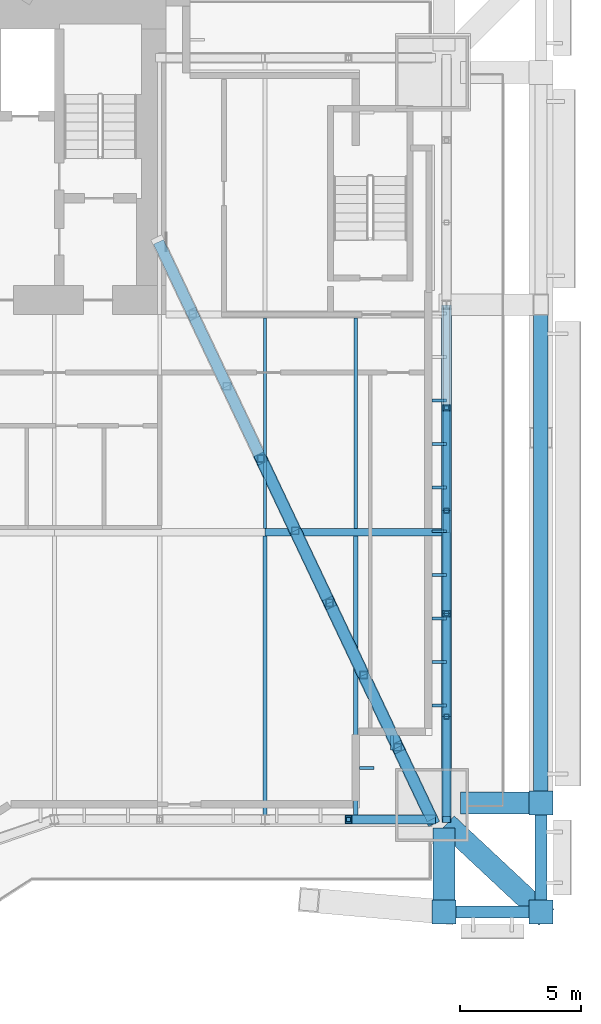
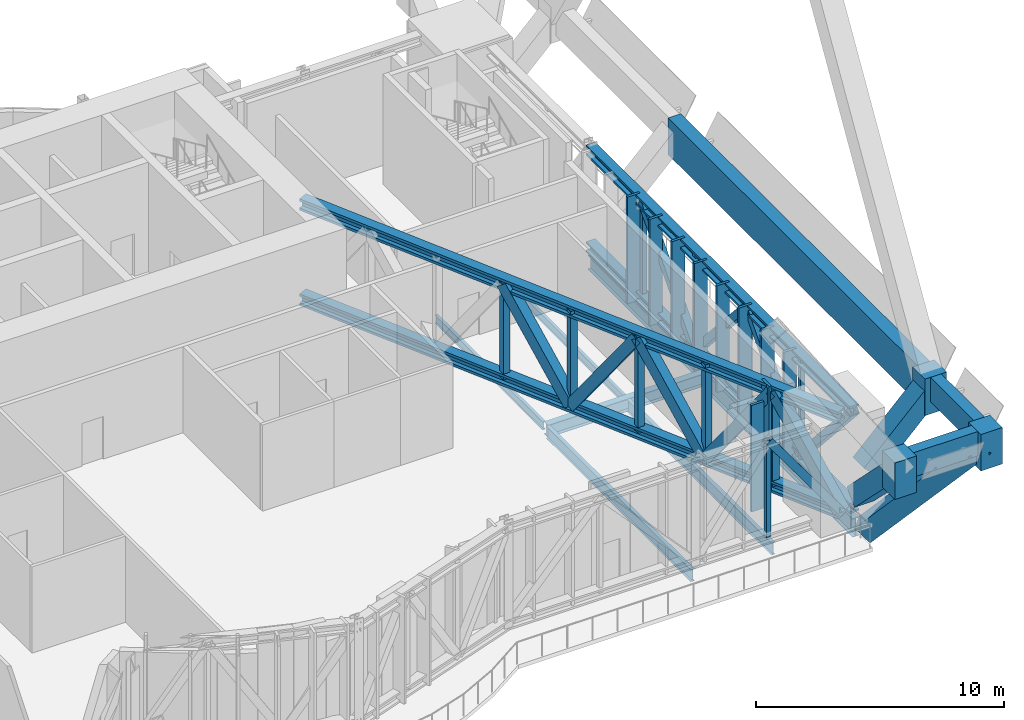
# One storey, part 15 of 32: 40 members, 10 beams, 1 element without a shape of its own.
"""IFC4 building model written with IfcOpenShell, lengths in metres."""

from ifc_helpers import new_model, si_unit, direction, frame, origin, origin_2d, place, context, subcontext, project, spatial, rectangle, hollow_rectangle, i_section, extrude, material, material_profile, profile_set, type_object, element, aggregate, save


model = new_model("IFC4")

# Units and contexts
model_context = context("Model", 3, precision=1e-05, world=origin(), true_north=direction((0.0, 1.0)))
body_context = subcontext(model_context, "Body", "Model", "MODEL_VIEW")
ifc_project = project(units=[si_unit("LENGTHUNIT", "METRE"), si_unit("AREAUNIT", "SQUARE_METRE"), si_unit("VOLUMEUNIT", "CUBIC_METRE"), si_unit("PLANEANGLEUNIT", "RADIAN"), si_unit("MASSUNIT", "GRAM", prefix="KILO")], contexts=[model_context])

# Site, building, storey
site_placement = place(None, origin())
site = spatial("IfcSite", under=ifc_project, at=site_placement, CompositionType="ELEMENT")
building_placement = place(site_placement, origin())
building = spatial("IfcBuilding", under=site, at=building_placement, Name="Bicima Exchange Tower", CompositionType="ELEMENT")
storey_placement = place(building_placement, frame((0.0, 0.0, 135.0)))
storey = spatial("IfcBuildingStorey", under=building, at=storey_placement, Name="L29", CompositionType="ELEMENT", Elevation=135.0)

# Curtain wall, members
ifc_material_1 = material(Name="Anodised bronze aluminium", Category="aluminium")
curtain_wall_type = type_object("IfcCurtainWallType", Name="Band blade screen", PredefinedType="NOTDEFINED", material=ifc_material_1)
curtain_wall_placement = place(storey_placement, origin())
curtain_wall = element("IfcCurtainWall", 1, at=curtain_wall_placement, inside=storey, type_object=curtain_wall_type, Name="Band blade screen L29", PredefinedType="NOTDEFINED")
ifc_material_profile_1 = material_profile(ifc_material_1, rectangle(XDim=0.60009765625, YDim=0.1201171875, at=origin_2d()))
ifc_profile_set_1 = profile_set([ifc_material_profile_1], Name="Anodised bronze aluminium")
member_type_1 = type_object("IfcMemberType", Name="Band blade fin 600 x 120", PredefinedType="USERDEFINED", material=ifc_profile_set_1)
member_1_placement = place(storey_placement, frame((33.300048828125, -29.156005859375, 0.0), z_axis=(0.0, 0.0, 1.0), x_axis=(-1.0, 0.0, 0.0)))
member_1 = element("IfcMember", 2, at=member_1_placement, type_object=member_type_1, Name="Band blade fin 1", ObjectType="FIN", PredefinedType="USERDEFINED", context=body_context, shape_type="SweptSolid", body=[
    extrude(rectangle(XDim=0.60009765625, YDim=0.1201171875, at=origin_2d()), origin(), (0.0, 0.0, 1.0), 5.25),
])
member_2_placement = place(storey_placement, frame((33.300048828125, -27.356201171875, 0.0), z_axis=(0.0, 0.0, 1.0), x_axis=(-1.0, 0.0, 0.0)))
member_2 = element("IfcMember", 3, at=member_2_placement, type_object=member_type_1, Name="Band blade fin 2", ObjectType="FIN", PredefinedType="USERDEFINED", context=body_context, shape_type="SweptSolid", body=[
    extrude(rectangle(XDim=0.60009765625, YDim=0.1201171875, at=origin_2d()), origin(), (0.0, 0.0, 1.0), 5.25),
])
member_3_placement = place(storey_placement, frame((33.300048828125, -25.55615234375, 0.0), z_axis=(0.0, 0.0, 1.0), x_axis=(-1.0, 0.0, 0.0)))
member_3 = element("IfcMember", 4, at=member_3_placement, type_object=member_type_1, Name="Band blade fin 3", ObjectType="FIN", PredefinedType="USERDEFINED", context=body_context, shape_type="SweptSolid", body=[
    extrude(rectangle(XDim=0.60009765625, YDim=0.1201171875, at=origin_2d()), origin(), (0.0, 0.0, 1.0), 5.25),
])
member_4_placement = place(storey_placement, frame((33.300048828125, -23.756103515625, 0.0), z_axis=(0.0, 0.0, 1.0), x_axis=(-1.0, 0.0, 0.0)))
member_4 = element("IfcMember", 5, at=member_4_placement, type_object=member_type_1, Name="Band blade fin 4", ObjectType="FIN", PredefinedType="USERDEFINED", context=body_context, shape_type="SweptSolid", body=[
    extrude(rectangle(XDim=0.60009765625, YDim=0.1201171875, at=origin_2d()), origin(), (0.0, 0.0, 1.0), 5.25),
])
member_5_placement = place(storey_placement, frame((33.300048828125, -21.9560546875, 0.0), z_axis=(0.0, 0.0, 1.0), x_axis=(-1.0, 0.0, 0.0)))
member_5 = element("IfcMember", 6, at=member_5_placement, type_object=member_type_1, Name="Band blade fin 5", ObjectType="FIN", PredefinedType="USERDEFINED", context=body_context, shape_type="SweptSolid", body=[
    extrude(rectangle(XDim=0.60009765625, YDim=0.1201171875, at=origin_2d()), origin(), (0.0, 0.0, 1.0), 5.25),
])
member_6_placement = place(storey_placement, frame((33.300048828125, -20.156005859375, 0.0), z_axis=(0.0, 0.0, 1.0), x_axis=(-1.0, 0.0, 0.0)))
member_6 = element("IfcMember", 7, at=member_6_placement, type_object=member_type_1, Name="Band blade fin 6", ObjectType="FIN", PredefinedType="USERDEFINED", context=body_context, shape_type="SweptSolid", body=[
    extrude(rectangle(XDim=0.60009765625, YDim=0.1201171875, at=origin_2d()), origin(), (0.0, 0.0, 1.0), 5.25),
])
member_7_placement = place(storey_placement, frame((33.300048828125, -18.356201171875, 0.0), z_axis=(0.0, 0.0, 1.0), x_axis=(-1.0, 0.0, 0.0)))
member_7 = element("IfcMember", 8, at=member_7_placement, type_object=member_type_1, Name="Band blade fin 7", ObjectType="FIN", PredefinedType="USERDEFINED", context=body_context, shape_type="SweptSolid", body=[
    extrude(rectangle(XDim=0.60009765625, YDim=0.1201171875, at=origin_2d()), origin(), (0.0, 0.0, 1.0), 5.25),
])
member_8_placement = place(storey_placement, frame((33.300048828125, -16.55615234375, 0.0), z_axis=(0.0, 0.0, 1.0), x_axis=(-1.0, 0.0, 0.0)))
member_8 = element("IfcMember", 9, at=member_8_placement, type_object=member_type_1, Name="Band blade fin 8", ObjectType="FIN", PredefinedType="USERDEFINED", context=body_context, shape_type="SweptSolid", body=[
    extrude(rectangle(XDim=0.60009765625, YDim=0.1201171875, at=origin_2d()), origin(), (0.0, 0.0, 1.0), 5.25),
])
member_9_placement = place(storey_placement, frame((30.300048828125, -31.738037109375, 0.0), z_axis=(0.0, 0.0, 1.0), x_axis=(-1.0, 0.0, 0.0)))
member_9 = element("IfcMember", 10, at=member_9_placement, type_object=member_type_1, Name="Band blade fin 59", ObjectType="FIN", PredefinedType="USERDEFINED", context=body_context, shape_type="SweptSolid", body=[
    extrude(rectangle(XDim=0.60009765625, YDim=0.1201171875, at=origin_2d()), origin(), (0.0, 0.0, 1.0), 5.25),
])
member_10_placement = place(storey_placement, frame((31.35009765625, -30.68798828125, 0.0), z_axis=(0.0, 0.0, 1.0), x_axis=(0.0, 1.0, 0.0)))
member_10 = element("IfcMember", 11, at=member_10_placement, type_object=member_type_1, Name="Band blade fin 60", ObjectType="FIN", PredefinedType="USERDEFINED", context=body_context, shape_type="SweptSolid", body=[
    extrude(rectangle(XDim=0.60009765625, YDim=0.1201171875, at=origin_2d()), origin(), (0.0, 0.0, 1.0), 5.25),
])
aggregate(curtain_wall, [member_1, member_2, member_3, member_4, member_5, member_6, member_7, member_8, member_9, member_10])

# Beams
ifc_material_2 = material(Name="Steel ASTM A572 Gr 50", Category="steel")
ifc_material_profile_2 = material_profile(ifc_material_2, hollow_rectangle(XDim=0.5, YDim=1.199951171875, WallThickness=0.0400390625, at=origin_2d()))
ifc_profile_set_2 = profile_set([ifc_material_profile_2], Name="Steel ASTM A572 Gr 50")
beam_type_1 = type_object("IfcBeamType", Name="Belt girder BOX 500x1200x40", PredefinedType="BEAM", material=ifc_profile_set_2)
beam_1_placement = place(storey_placement, frame((33.5, -37.684814453125, 4.64990234375), z_axis=(1.0, 0.0, 0.0), x_axis=(0.0, 1.0, 0.0)))
element("IfcBeam", 12, at=beam_1_placement, inside=storey, type_object=beam_type_1, Name="Belt girder", PredefinedType="BEAM", context=body_context, shape_type="SweptSolid", body=[
    extrude(hollow_rectangle(XDim=0.5, YDim=1.199951171875, WallThickness=0.0400390625, at=origin_2d()), origin(), (0.0, 0.0, 1.0), 4.0),
])
beam_2_placement = place(storey_placement, frame((37.5, -37.684814453125, 4.64990234375), z_axis=(0.0, 1.0, 0.0), x_axis=(-1.0, 0.0, 0.0)))
element("IfcBeam", 13, at=beam_2_placement, inside=storey, type_object=beam_type_1, Name="Belt girder", PredefinedType="BEAM", context=body_context, shape_type="SweptSolid", body=[
    extrude(hollow_rectangle(XDim=0.5, YDim=1.199951171875, WallThickness=0.0400390625, at=origin_2d()), origin(), (0.0, 0.0, 1.0), 4.5),
])
ifc_material_profile_3 = material_profile(ifc_material_2, hollow_rectangle(XDim=0.60009765625, YDim=1.800048828125, WallThickness=0.06005859375, at=origin_2d()))
ifc_profile_set_3 = profile_set([ifc_material_profile_3], Name="Steel ASTM A572 Gr 50")
beam_type_2 = type_object("IfcBeamType", Name="Belt girder BOX 600x1800x60", PredefinedType="BEAM", material=ifc_profile_set_3)
beam_3_placement = place(storey_placement, frame((37.5, -33.184814453125, 4.35009765625), z_axis=(0.0, 1.0, 0.0), x_axis=(-1.0, 0.0, 0.0)))
element("IfcBeam", 14, at=beam_3_placement, inside=storey, type_object=beam_type_2, Name="Belt girder", PredefinedType="BEAM", context=body_context, shape_type="SweptSolid", body=[
    extrude(hollow_rectangle(XDim=0.60009765625, YDim=1.800048828125, WallThickness=0.06005859375, at=origin_2d()), origin(), (0.0, 0.0, 1.0), 20.584716796875),
])

# Members
ifc_material_3 = material(Name="Steel ASTM A992 Gr 50", Category="steel")
ifc_material_profile_4 = material_profile(ifc_material_3, i_section(OverallWidth=0.431884765625, OverallDepth=0.497802734375, WebThickness=0.0556640625, FlangeThickness=0.0888671875, at=origin_2d()))
ifc_profile_set_4 = profile_set([ifc_material_profile_4], Name="Steel ASTM A992 Gr 50")
member_type_2 = type_object("IfcMemberType", Name="Belt truss chord W14x500", PredefinedType="CHORD", material=ifc_profile_set_4)
for number, where, z_axis, x_axis, name in (
    (15, (33.60009765625, -12.60009765625, 5.001220703125), (0.0, -1.0, 0.0), (1.0, 0.0, 0.0), "Top chord"),
    (16, (33.60009765625, -12.60009765625, 0.248779296875), (0.0, -1.0, 0.0), (1.0, 0.0, 0.0), "Bottom chord"),
):
    element("IfcMember", number, at=place(storey_placement, frame(where, z_axis=z_axis, x_axis=x_axis)), inside=storey, type_object=member_type_2, Name=name, PredefinedType="CHORD", context=body_context, shape_type="SweptSolid", body=[
        extrude(i_section(OverallWidth=0.431884765625, OverallDepth=0.497802734375, WebThickness=0.0556640625, FlangeThickness=0.0888671875, at=origin_2d()), origin(), (0.0, 0.0, 1.0), 21.265869140625),
    ])
ifc_material_profile_5 = material_profile(ifc_material_2, hollow_rectangle(XDim=0.355712890625, YDim=0.355712890625, WallThickness=0.0146484375, at=origin_2d()))
ifc_profile_set_5 = profile_set([ifc_material_profile_5], Name="Steel ASTM A572 Gr 50")
member_type_3 = type_object("IfcMemberType", Name="Belt truss diagonal HSS14x14x5/8", PredefinedType="STRUT", material=ifc_profile_set_5)
member_11_placement = place(storey_placement, frame((29.550048828125, -33.865966796875, 5.001220703125), z_axis=(0.587462041023, 0.0, -0.809251722493), x_axis=(0.0, 1.0, 0.0)))
element("IfcMember", 17, at=member_11_placement, inside=storey, type_object=member_type_3, Name="Truss diagonal", PredefinedType="STRUT", context=body_context, shape_type="SweptSolid", body=[
    extrude(hollow_rectangle(XDim=0.355712890625, YDim=0.355712890625, WallThickness=0.0146484375, at=origin_2d()), origin(), (0.0, 0.0, 1.0), 5.87255859375),
])
for number, where, z_axis, x_axis, name in (
    (18, (33.60009765625, -16.853271484375, 5.001220703125), (0.0, -0.666881015123, -0.74516421792), (1.0, 0.0, 0.0), "Truss diagonal"),
    (19, (33.60009765625, -21.1064453125, 0.248779296875), (0.0, -0.666881015123, 0.74516421792), (1.0, 0.0, 0.0), "Truss diagonal"),
    (20, (33.60009765625, -25.359619140625, 5.001220703125), (0.0, -0.666881015123, -0.74516421792), (1.0, 0.0, 0.0), "Truss diagonal"),
    (21, (33.60009765625, -29.61279296875, 0.248779296875), (0.0, -0.666881015123, 0.74516421792), (1.0, 0.0, 0.0), "Truss diagonal"),
):
    element("IfcMember", number, at=place(storey_placement, frame(where, z_axis=z_axis, x_axis=x_axis)), inside=storey, type_object=member_type_3, Name=name, PredefinedType="STRUT", context=body_context, shape_type="SweptSolid", body=[
        extrude(hollow_rectangle(XDim=0.355712890625, YDim=0.355712890625, WallThickness=0.0146484375, at=origin_2d()), origin(), (0.0, 0.0, 1.0), 6.377685546875),
    ])
ifc_material_profile_6 = material_profile(ifc_material_2, hollow_rectangle(XDim=0.203125, YDim=0.203125, WallThickness=0.01171875, at=origin_2d()))
ifc_profile_set_6 = profile_set([ifc_material_profile_6], Name="Steel ASTM A572 Gr 50")
member_type_4 = type_object("IfcMemberType", Name="Belt truss post HSS8x8x1/2", PredefinedType="POST", material=ifc_profile_set_6)
for number, where, z_axis, x_axis, name in (
    (22, (29.550048828125, -33.865966796875, 0.248779296875), (0.0, 0.0, 1.0), (1.0, 0.0, 0.0), "Truss post"),
    (23, (33.60009765625, -16.853271484375, 0.248779296875), (0.0, 0.0, 1.0), (1.0, 0.0, 0.0), "Truss post"),
    (24, (33.60009765625, -21.1064453125, 0.248779296875), (0.0, 0.0, 1.0), (1.0, 0.0, 0.0), "Truss post"),
    (25, (33.60009765625, -25.359619140625, 0.248779296875), (0.0, 0.0, 1.0), (1.0, 0.0, 0.0), "Truss post"),
    (26, (33.60009765625, -29.61279296875, 0.248779296875), (0.0, 0.0, 1.0), (1.0, 0.0, 0.0), "Truss post"),
):
    element("IfcMember", number, at=place(storey_placement, frame(where, z_axis=z_axis, x_axis=x_axis)), inside=storey, type_object=member_type_4, Name=name, PredefinedType="POST", context=body_context, shape_type="SweptSolid", body=[
        extrude(hollow_rectangle(XDim=0.203125, YDim=0.203125, WallThickness=0.01171875, at=origin_2d()), origin(), (0.0, 0.0, 1.0), 4.75244140625),
    ])

# Beams
ifc_material_profile_7 = material_profile(ifc_material_3, i_section(OverallWidth=0.256591796875, OverallDepth=0.693359375, WebThickness=0.014404296875, FlangeThickness=0.023681640625, at=origin_2d()))
ifc_profile_set_7 = profile_set([ifc_material_profile_7], Name="Steel ASTM A992 Gr 50")
beam_type_3 = type_object("IfcBeamType", Name="End girder W27x114", PredefinedType="BEAM", material=ifc_profile_set_7)
beam_4_placement = place(storey_placement, frame((33.60009765625, -12.60009765625, -0.546630859375), z_axis=(0.0, -1.0, 0.0), x_axis=(1.0, 0.0, 0.0)))
element("IfcBeam", 27, at=beam_4_placement, inside=storey, type_object=beam_type_3, Name="End girder", PredefinedType="BEAM", context=body_context, shape_type="SweptSolid", body=[
    extrude(i_section(OverallWidth=0.256591796875, OverallDepth=0.693359375, WebThickness=0.014404296875, FlangeThickness=0.023681640625, at=origin_2d()), origin(), (0.0, 0.0, 1.0), 9.39990234375),
])
ifc_material_profile_8 = material_profile(ifc_material_3, i_section(OverallWidth=0.3046875, OverallDepth=0.911865234375, WebThickness=0.015869140625, FlangeThickness=0.02392578125, at=origin_2d()))
ifc_profile_set_8 = profile_set([ifc_material_profile_8], Name="Steel ASTM A992 Gr 50")
beam_type_4 = type_object("IfcBeamType", Name="End girder W36x150", PredefinedType="BEAM", material=ifc_profile_set_8)
beam_5_placement = place(storey_placement, frame((33.60009765625, -22.0, -0.656005859375), z_axis=(0.0, -1.0, 0.0), x_axis=(1.0, 0.0, 0.0)))
element("IfcBeam", 28, at=beam_5_placement, inside=storey, type_object=beam_type_4, Name="End girder", PredefinedType="BEAM", context=body_context, shape_type="SweptSolid", body=[
    extrude(i_section(OverallWidth=0.3046875, OverallDepth=0.911865234375, WebThickness=0.015869140625, FlangeThickness=0.02392578125, at=origin_2d()), origin(), (0.0, 0.0, 1.0), 11.988037109375),
])

# Members
ifc_material_4 = material(Name="Cast steel ASTM A216 Gr WCB", Category="steel")
ifc_material_profile_9 = material_profile(ifc_material_4, rectangle(XDim=1.0, YDim=1.0, at=origin_2d()))
ifc_profile_set_9 = profile_set([ifc_material_profile_9], Name="Cast steel ASTM A216 Gr WCB")
member_type_5 = type_object("IfcMemberType", Name="Exo node block", PredefinedType="POST", material=ifc_profile_set_9)
for number, where, z_axis, x_axis, name in (
    (29, (33.5, -37.684814453125, 3.449951171875), (0.0, 0.0, 1.0), (1.0, 0.0, 0.0), "Exo node block"),
    (30, (37.5, -37.684814453125, 3.449951171875), (0.0, 0.0, 1.0), (1.0, 0.0, 0.0), "Exo node block"),
    (31, (37.5, -33.184814453125, 3.449951171875), (0.0, 0.0, 1.0), (1.0, 0.0, 0.0), "Exo node block"),
):
    element("IfcMember", number, at=place(storey_placement, frame(where, z_axis=z_axis, x_axis=x_axis)), inside=storey, type_object=member_type_5, Name=name, PredefinedType="POST", context=body_context, shape_type="SweptSolid", body=[
        extrude(rectangle(XDim=1.0, YDim=1.0, at=origin_2d()), origin(), (0.0, 0.0, 1.0), 1.800048828125),
    ])
ifc_material_profile_10 = material_profile(ifc_material_2, hollow_rectangle(XDim=0.89990234375, YDim=0.89990234375, WallThickness=0.050048828125, at=origin_2d()))
ifc_profile_set_10 = profile_set([ifc_material_profile_10], Name="Steel ASTM A572 Gr 50")
member_type_6 = type_object("IfcMemberType", Name="Exo outrigger stub BOX 900x900x50", PredefinedType="STRUT", material=ifc_profile_set_10)
member_12_placement = place(storey_placement, frame((33.5, -34.52734375, 1.3427734375), z_axis=(0.0, -0.707134119022, 0.707079442294), x_axis=(1.0, 0.0, 0.0)))
element("IfcMember", 32, at=member_12_placement, inside=storey, type_object=member_type_6, Name="Exo outrigger stub", PredefinedType="STRUT", context=body_context, shape_type="SweptSolid", body=[
    extrude(hollow_rectangle(XDim=0.89990234375, YDim=0.89990234375, WallThickness=0.050048828125, at=origin_2d()), origin(), (0.0, 0.0, 1.0), 4.465087890625),
])
member_13_placement = place(storey_placement, frame((33.848388671875, -34.268310546875, -0.70068359375), z_axis=(0.506125264948, -0.473538607854, 0.720831743927), x_axis=(0.683208359889, 0.730223484269, 0.0)))
element("IfcMember", 33, at=member_13_placement, inside=storey, type_object=member_type_6, Name="Exo outrigger stub", PredefinedType="STRUT", context=body_context, shape_type="SweptSolid", body=[
    extrude(hollow_rectangle(XDim=0.89990234375, YDim=0.89990234375, WallThickness=0.050048828125, at=origin_2d()), origin(), (0.0, 0.0, 1.0), 7.21484375),
])
member_14_placement = place(storey_placement, frame((34.5, -33.184814453125, 1.5), z_axis=(0.707106781187, 0.0, 0.707106781187), x_axis=(0.0, 1.0, 0.0)))
element("IfcMember", 34, at=member_14_placement, inside=storey, type_object=member_type_6, Name="Exo outrigger stub", PredefinedType="STRUT", context=body_context, shape_type="SweptSolid", body=[
    extrude(hollow_rectangle(XDim=0.89990234375, YDim=0.89990234375, WallThickness=0.050048828125, at=origin_2d()), origin(), (0.0, 0.0, 1.0), 4.24267578125),
])

# Beams
ifc_material_profile_11 = material_profile(ifc_material_3, i_section(OverallWidth=0.140380859375, OverallDepth=0.40380859375, WebThickness=0.007080078125, FlangeThickness=0.01123046875, at=origin_2d()))
ifc_profile_set_11 = profile_set([ifc_material_profile_11], Name="Steel ASTM A992 Gr 50")
beam_type_5 = type_object("IfcBeamType", Name="Floor beam W16x31", PredefinedType="JOIST", material=ifc_profile_set_11)
for number, where, z_axis, x_axis, name in (
    (35, (26.10009765625, -13.15234375, -0.40185546875), (0.0, -1.0, 0.0), (1.0, 0.0, 0.0), "Floor beam"),
    (36, (29.85009765625, -13.15234375, -0.40185546875), (0.0, -1.0, 0.0), (1.0, 0.0, 0.0), "Floor beam"),
):
    element("IfcBeam", number, at=place(storey_placement, frame(where, z_axis=z_axis, x_axis=x_axis)), inside=storey, type_object=beam_type_5, Name=name, PredefinedType="JOIST", context=body_context, shape_type="SweptSolid", body=[
        extrude(i_section(OverallWidth=0.140380859375, OverallDepth=0.40380859375, WebThickness=0.007080078125, FlangeThickness=0.01123046875, at=origin_2d()), origin(), (0.0, 0.0, 1.0), 8.68505859375),
    ])
ifc_material_profile_12 = material_profile(ifc_material_3, i_section(OverallWidth=0.177978515625, OverallDepth=0.599365234375, WebThickness=0.010009765625, FlangeThickness=0.012939453125, at=origin_2d()))
ifc_profile_set_12 = profile_set([ifc_material_profile_12], Name="Steel ASTM A992 Gr 50")
beam_type_6 = type_object("IfcBeamType", Name="Floor beam W24x55", PredefinedType="JOIST", material=ifc_profile_set_12)
for number, where, z_axis, x_axis, name in (
    (37, (26.10009765625, -22.16259765625, -0.499755859375), (0.0, -1.0, 0.0), (1.0, 0.0, 0.0), "Floor beam"),
    (38, (29.85009765625, -22.16259765625, -0.499755859375), (0.0, -1.0, 0.0), (1.0, 0.0, 0.0), "Floor beam"),
):
    element("IfcBeam", number, at=place(storey_placement, frame(where, z_axis=z_axis, x_axis=x_axis)), inside=storey, type_object=beam_type_6, Name=name, PredefinedType="JOIST", context=body_context, shape_type="SweptSolid", body=[
        extrude(i_section(OverallWidth=0.177978515625, OverallDepth=0.599365234375, WebThickness=0.010009765625, FlangeThickness=0.012939453125, at=origin_2d()), origin(), (0.0, 0.0, 1.0), 11.662841796875),
    ])

# Members
ifc_material_profile_13 = material_profile(ifc_material_3, i_section(OverallWidth=0.45458984375, OverallDepth=0.56884765625, WebThickness=0.077880859375, FlangeThickness=0.124755859375, at=origin_2d()))
ifc_profile_set_13 = profile_set([ifc_material_profile_13], Name="Steel ASTM A992 Gr 50")
member_type_7 = type_object("IfcMemberType", Name="Outrigger truss chord W14x730", PredefinedType="CHORD", material=ifc_profile_set_13)
for number, where, z_axis, x_axis, name in (
    (39, (21.699951171875, -10.0, 4.965576171875), (0.427935312391, -0.903809365081, 0.0), (0.903809365081, 0.427935312391, 0.0), "Top chord"),
    (40, (21.699951171875, -10.0, 0.284423828125), (0.427935312391, -0.903809365081, 0.0), (0.903809365081, 0.427935312391, 0.0), "Bottom chord"),
):
    element("IfcMember", number, at=place(storey_placement, frame(where, z_axis=z_axis, x_axis=x_axis)), inside=storey, type_object=member_type_7, Name=name, PredefinedType="CHORD", context=body_context, shape_type="SweptSolid", body=[
        extrude(i_section(OverallWidth=0.45458984375, OverallDepth=0.56884765625, WebThickness=0.077880859375, FlangeThickness=0.124755859375, at=origin_2d()), origin(), (0.0, 0.0, 1.0), 26.406005859375),
    ])
ifc_material_profile_14 = material_profile(ifc_material_2, hollow_rectangle(XDim=0.508056640625, YDim=0.508056640625, WallThickness=0.017822265625, at=origin_2d()))
ifc_profile_set_14 = profile_set([ifc_material_profile_14], Name="Steel ASTM A572 Gr 50")
member_type_8 = type_object("IfcMemberType", Name="Outrigger truss diagonal HSS20x20x3/4", PredefinedType="STRUT", material=ifc_profile_set_14)
member_15_placement = place(storey_placement, frame((25.9375, -18.94970703125, 4.965576171875), z_axis=(0.246615343931, -0.520850242453, -0.817248981079), x_axis=(0.90380710303, 0.427940089864, 0.0)))
element("IfcMember", 41, at=member_15_placement, inside=storey, type_object=member_type_8, Name="Truss diagonal", PredefinedType="STRUT", context=body_context, shape_type="SweptSolid", body=[
    extrude(hollow_rectangle(XDim=0.508056640625, YDim=0.508056640625, WallThickness=0.017822265625, at=origin_2d()), origin(), (0.0, 0.0, 1.0), 5.72802734375),
])
for number, where, z_axis, x_axis, name in (
    (42, (27.35009765625, -21.93310546875, 0.284423828125), (0.246580786875, -0.520824655976, 0.817275714353), (0.903822165624, 0.427908276302, 0.0), "Truss diagonal"),
    (43, (28.762451171875, -24.916259765625, 4.965576171875), (0.246620818769, -0.520819181566, -0.817267123934), (0.903793556937, 0.427968697965, 0.0), "Truss diagonal"),
    (44, (30.175048828125, -27.8994140625, 0.284423828125), (0.24657531281, -0.520855716946, 0.817257570927), (0.90383570832, 0.427879670428, 0.0), "Truss diagonal"),
    (45, (31.58740234375, -30.8828125, 4.965576171875), (0.246620818769, -0.520819181566, -0.817267123934), (0.903793556937, 0.427968697965, 0.0), "Truss diagonal"),
):
    element("IfcMember", number, at=place(storey_placement, frame(where, z_axis=z_axis, x_axis=x_axis)), inside=storey, type_object=member_type_8, Name=name, PredefinedType="STRUT", context=body_context, shape_type="SweptSolid", body=[
        extrude(hollow_rectangle(XDim=0.508056640625, YDim=0.508056640625, WallThickness=0.017822265625, at=origin_2d()), origin(), (0.0, 0.0, 1.0), 5.727783203125),
    ])
ifc_material_profile_15 = material_profile(ifc_material_2, hollow_rectangle(XDim=0.3046875, YDim=0.3046875, WallThickness=0.01171875, at=origin_2d()))
ifc_profile_set_15 = profile_set([ifc_material_profile_15], Name="Steel ASTM A572 Gr 50")
member_type_9 = type_object("IfcMemberType", Name="Outrigger truss post HSS12x12x1/2", PredefinedType="POST", material=ifc_profile_set_15)
for number, where, z_axis, x_axis, name in (
    (46, (25.9375, -18.94970703125, 0.284423828125), (0.0, 0.0, 1.0), (1.0, 0.0, 0.0), "Truss post"),
    (47, (27.35009765625, -21.93310546875, 0.284423828125), (0.0, 0.0, 1.0), (1.0, 0.0, 0.0), "Truss post"),
    (48, (28.762451171875, -24.916259765625, 0.284423828125), (0.0, 0.0, 1.0), (1.0, 0.0, 0.0), "Truss post"),
    (49, (30.175048828125, -27.8994140625, 0.284423828125), (0.0, 0.0, 1.0), (1.0, 0.0, 0.0), "Truss post"),
    (50, (31.58740234375, -30.8828125, 0.284423828125), (0.0, 0.0, 1.0), (1.0, 0.0, 0.0), "Truss post"),
):
    element("IfcMember", number, at=place(storey_placement, frame(where, z_axis=z_axis, x_axis=x_axis)), inside=storey, type_object=member_type_9, Name=name, PredefinedType="POST", context=body_context, shape_type="SweptSolid", body=[
        extrude(hollow_rectangle(XDim=0.3046875, YDim=0.3046875, WallThickness=0.01171875, at=origin_2d()), origin(), (0.0, 0.0, 1.0), 4.68115234375),
    ])

# Beam
ifc_material_profile_16 = material_profile(ifc_material_3, i_section(OverallWidth=0.3251953125, OverallDepth=0.612060546875, WebThickness=0.0126953125, FlangeThickness=0.01904296875, at=origin_2d()))
ifc_profile_set_16 = profile_set([ifc_material_profile_16], Name="Steel ASTM A992 Gr 50")
beam_type_7 = type_object("IfcBeamType", Name="Row girder W24x104", PredefinedType="BEAM", material=ifc_profile_set_16)
beam_6_placement = place(storey_placement, frame((26.10009765625, -22.0, -0.506103515625), z_axis=(1.0, 0.0, 0.0), x_axis=(0.0, 1.0, 0.0)))
element("IfcBeam", 51, at=beam_6_placement, inside=storey, type_object=beam_type_7, Name="Row girder", PredefinedType="BEAM", context=body_context, shape_type="SweptSolid", body=[
    extrude(i_section(OverallWidth=0.3251953125, OverallDepth=0.612060546875, WebThickness=0.0126953125, FlangeThickness=0.01904296875, at=origin_2d()), origin(), (0.0, 0.0, 1.0), 7.5),
])

save(model, "model.ifc")
